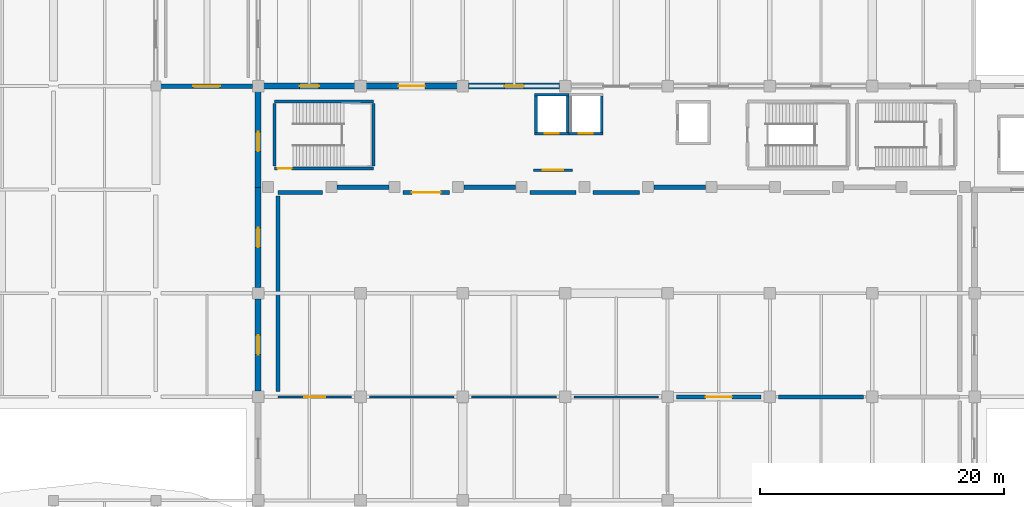
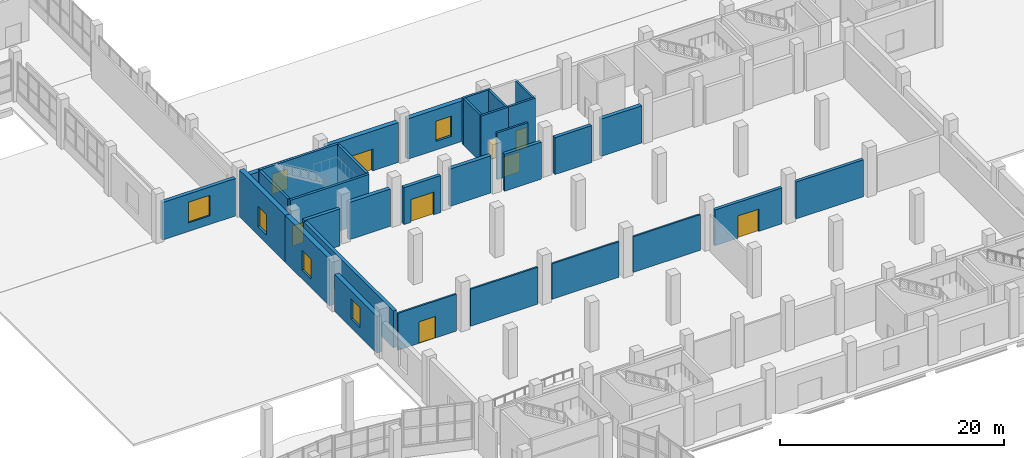
# One storey, part 89 of 107: 32 walls, 8 doors, 6 windows, 14 openings.
"""IFC4 building model written with IfcOpenShell, lengths in metres."""

from ifc_helpers import new_model, si_unit, direction, frame, frame_2d, origin, place, context, subcontext, project, spatial, rectangle, extrude, material, layer, layer_set, type_object, element, fill, save


model = new_model("IFC4")

# Units and contexts
model_context = context("Model", 3, precision=1e-05, world=origin(), true_north=direction((0.0, 1.0)))
body_context = subcontext(model_context, "Body", "Model", "MODEL_VIEW")
ifc_project = project(units=[si_unit("LENGTHUNIT", "METRE"), si_unit("AREAUNIT", "SQUARE_METRE"), si_unit("VOLUMEUNIT", "CUBIC_METRE"), si_unit("PLANEANGLEUNIT", "RADIAN"), si_unit("MASSUNIT", "GRAM", prefix="KILO")], contexts=[model_context])

# Site, building, storey
site_placement = place(None, origin())
site = spatial("IfcSite", under=ifc_project, at=site_placement, CompositionType="ELEMENT")
building_placement = place(site_placement, origin())
building = spatial("IfcBuilding", under=site, at=building_placement, Name="Solvento Point Concert Hall", CompositionType="ELEMENT")
storey_placement = place(building_placement, origin())
storey = spatial("IfcBuildingStorey", under=building, at=storey_placement, Name="L00", CompositionType="ELEMENT", Elevation=0.0)

# Wall, opening, door
ifc_material_1 = material(Name="Acoustic Double-Stud Gypsum Partition")
ifc_layer_1 = layer(ifc_material_1, 0.179931640625)
ifc_layer_set_1 = layer_set([ifc_layer_1], Name="Acoustic Double-Stud Gypsum Partition")
wall_type_1 = type_object("IfcWallType", Name="AcousticPartition_180", PredefinedType="PARTITIONING", material=ifc_layer_set_1)
wall_1_placement = place(storey_placement, frame((76.02001953125, 67.97998046875, 0.0), z_axis=(0.0, 0.0, 1.0), x_axis=(1.0, 0.0, 0.0)))
wall_1 = element("IfcWall", 1, at=wall_1_placement, inside=storey, type_object=wall_type_1, Name="Interior acoustic partition PW-63 L00", PredefinedType="PARTITIONING", context=body_context, shape_type="SweptSolid", body=[
    extrude(rectangle(XDim=6.054931640625, YDim=0.179931640625, at=frame_2d((3.02734375, 0.0))), origin(), (0.0, 0.0, 1.0), 4.0400390625),
])
opening_1_placement = place(wall_1_placement, frame((2.16748046875, 0.0, 0.0)))
opening_1 = element("IfcOpeningElement", 2, at=opening_1_placement, cuts=wall_1, Name="Opening DR-35", PredefinedType="OPENING", context=body_context, shape_type="SweptSolid", body=[
    extrude(rectangle(XDim=1.719970703125, YDim=2.360107421875, at=frame_2d((0.85986328125, 1.18017578125))), frame((0.0, 0.099853515625, 0.0), z_axis=(0.0, -1.0, 0.0), x_axis=(1.0, 0.0, 0.0)), (0.0, 0.0, 1.0), 0.199951171875),
])
ifc_material_2 = material(Name="Brazilian Hardwood Acoustic Door", Category="wood")
door_type_1 = type_object("IfcDoorType", Name="IntDoor_FoyerCafeRetail", OperationType="NOTDEFINED", PredefinedType="DOOR", material=ifc_material_2)
door_1_placement = place(opening_1_placement, origin())
door_1 = element("IfcDoor", 3, at=door_1_placement, inside=storey, type_object=door_type_1, Name="Interior door DR-35 L00", OperationType="SINGLE_SWING_RIGHT", OverallHeight=2.360107421875, OverallWidth=1.719970703125, PredefinedType="DOOR", context=body_context, shape_type="SweptSolid", body=[
    extrude(rectangle(XDim=1.719970703125, YDim=2.360107421875, at=frame_2d((0.85986328125, 1.18017578125))), frame((0.0, 0.02490234375, 0.0), z_axis=(0.0, -1.0, 0.0), x_axis=(1.0, 0.0, 0.0)), (0.0, 0.0, 1.0), 0.050048828125),
])
fill(opening_1, door_1)

# Walls
wall_2_placement = place(storey_placement, frame((83.52490234375, 67.97998046875, 0.0), z_axis=(0.0, 0.0, 1.0), x_axis=(1.0, 0.0, 0.0)))
element("IfcWall", 4, at=wall_2_placement, inside=storey, type_object=wall_type_1, Name="Interior acoustic partition PW-63 L00", PredefinedType="PARTITIONING", context=body_context, shape_type="SweptSolid", body=[
    extrude(rectangle(XDim=6.9501953125, YDim=0.179931640625, at=frame_2d((3.47509765625, 0.0))), origin(), (0.0, 0.0, 1.0), 4.037109375),
])
wall_3_placement = place(storey_placement, frame((91.925048828125, 67.97998046875, 0.0), z_axis=(0.0, 0.0, 1.0), x_axis=(1.0, 0.0, 0.0)))
element("IfcWall", 5, at=wall_3_placement, inside=storey, type_object=wall_type_1, Name="Interior acoustic partition PW-63 L00", PredefinedType="PARTITIONING", context=body_context, shape_type="SweptSolid", body=[
    extrude(rectangle(XDim=6.949951171875, YDim=0.179931640625, at=frame_2d((3.47509765625, 0.0))), origin(), (0.0, 0.0, 1.0), 3.883056640625),
])
wall_4_placement = place(storey_placement, frame((100.324951171875, 67.97998046875, 0.0), z_axis=(0.0, 0.0, 1.0), x_axis=(1.0, 0.0, 0.0)))
element("IfcWall", 6, at=wall_4_placement, inside=storey, type_object=wall_type_1, Name="Interior acoustic partition PW-63 L00", PredefinedType="PARTITIONING", context=body_context, shape_type="SweptSolid", body=[
    extrude(rectangle(XDim=6.949951171875, YDim=0.179931640625, at=frame_2d((3.47509765625, 0.0))), origin(), (0.0, 0.0, 1.0), 3.903076171875),
])

# Wall, opening, door
ifc_material_3 = material(Name="Acoustic Double-Stud Gypsum Partition")
ifc_layer_2 = layer(ifc_material_3, 0.2080078125)
ifc_layer_set_2 = layer_set([ifc_layer_2], Name="Acoustic Double-Stud Gypsum Partition")
wall_type_2 = type_object("IfcWallType", Name="AcousticPartition_208", PredefinedType="PARTITIONING", material=ifc_layer_set_2)
wall_5_placement = place(storey_placement, frame((97.0, 86.60009765625, 0.0), z_axis=(0.0, 0.0, 1.0), x_axis=(1.0, 0.0, 0.0)))
wall_5 = element("IfcWall", 7, at=wall_5_placement, inside=storey, type_object=wall_type_2, Name="Lift lobby partition LP-01 L00", PredefinedType="PARTITIONING", context=body_context, shape_type="SweptSolid", body=[
    extrude(rectangle(XDim=3.199951171875, YDim=0.2080078125, at=frame_2d((1.60009765625, 0.0))), origin(), (0.0, 0.0, 1.0), 5.1201171875),
])
opening_2_placement = place(wall_5_placement, frame((0.77490234375, 0.0, 0.0)))
opening_2 = element("IfcOpeningElement", 8, at=opening_2_placement, cuts=wall_5, Name="Opening D-FL1", PredefinedType="OPENING", context=body_context, shape_type="SweptSolid", body=[
    extrude(rectangle(XDim=1.64990234375, YDim=2.199951171875, at=frame_2d((0.824951171875, 1.10009765625))), frame((0.0, 0.114013671875, 0.0), z_axis=(0.0, -1.0, 0.0), x_axis=(1.0, 0.0, 0.0)), (0.0, 0.0, 1.0), 0.22802734375),
])
ifc_material_4 = material(Name="Hollow Metal Acoustic Fire Door")
door_type_2 = type_object("IfcDoorType", Name="FireLobbyDoor_1600", OperationType="DOUBLE_DOOR_SINGLE_SWING", PredefinedType="DOOR", material=ifc_material_4)
door_2_placement = place(opening_2_placement, origin())
door_2 = element("IfcDoor", 9, at=door_2_placement, inside=storey, type_object=door_type_2, Name="Lift lobby door LP-01 L00", OperationType="DOUBLE_DOOR_SINGLE_SWING", OverallHeight=2.199951171875, OverallWidth=1.64990234375, PredefinedType="DOOR", context=body_context, shape_type="SweptSolid", body=[
    extrude(rectangle(XDim=1.64990234375, YDim=2.199951171875, at=frame_2d((0.824951171875, 1.10009765625))), frame((0.0, 0.02490234375, 0.0), z_axis=(0.0, -1.0, 0.0), x_axis=(1.0, 0.0, 0.0)), (0.0, 0.0, 1.0), 0.050048828125),
])
fill(opening_2, door_2)

ifc_material_5 = material(Name="Acoustic Double-Stud Gypsum Partition")
ifc_layer_3 = layer(ifc_material_5, 0.31494140625)
ifc_layer_set_3 = layer_set([ifc_layer_3], Name="Acoustic Double-Stud Gypsum Partition")
wall_type_3 = type_object("IfcWallType", Name="AcousticPartition_315", PredefinedType="PARTITIONING", material=ifc_layer_set_3)
wall_6_placement = place(storey_placement, frame((108.72509765625, 67.97998046875, 0.0), z_axis=(0.0, 0.0, 1.0), x_axis=(1.0, 0.0, 0.0)))
wall_6 = element("IfcWall", 10, at=wall_6_placement, inside=storey, type_object=wall_type_3, Name="Interior acoustic partition PW-18 L00", PredefinedType="PARTITIONING", context=body_context, shape_type="SweptSolid", body=[
    extrude(rectangle(XDim=6.949951171875, YDim=0.31494140625, at=frame_2d((3.47509765625, 0.0))), origin(), (0.0, 0.0, 1.0), 3.9130859375),
])
opening_3_placement = place(wall_6_placement, frame((2.39990234375, 0.0, 0.0)))
opening_3 = element("IfcOpeningElement", 11, at=opening_3_placement, cuts=wall_6, Name="Opening DR-13", PredefinedType="OPENING", context=body_context, shape_type="SweptSolid", body=[
    extrude(rectangle(XDim=2.14990234375, YDim=2.43994140625, at=frame_2d((1.074951171875, 1.219970703125))), frame((0.0, 0.16748046875, 0.0), z_axis=(0.0, -1.0, 0.0), x_axis=(1.0, 0.0, 0.0)), (0.0, 0.0, 1.0), 0.3349609375),
])
ifc_material_6 = material(Name="Brazilian Hardwood Acoustic Door", Category="wood")
door_type_3 = type_object("IfcDoorType", Name="IntDoor_WorkshopStage", OperationType="NOTDEFINED", PredefinedType="DOOR", material=ifc_material_6)
door_3_placement = place(opening_3_placement, origin())
door_3 = element("IfcDoor", 12, at=door_3_placement, inside=storey, type_object=door_type_3, Name="Interior door DR-13 L00", OperationType="SINGLE_SWING_LEFT", OverallHeight=2.43994140625, OverallWidth=2.14990234375, PredefinedType="DOOR", context=body_context, shape_type="SweptSolid", body=[
    extrude(rectangle(XDim=2.14990234375, YDim=2.43994140625, at=frame_2d((1.074951171875, 1.219970703125))), frame((0.0, 0.02490234375, 0.0), z_axis=(0.0, -1.0, 0.0), x_axis=(1.0, 0.0, 0.0)), (0.0, 0.0, 1.0), 0.050048828125),
])
fill(opening_3, door_3)

# Walls
wall_7_placement = place(storey_placement, frame((117.125, 67.97998046875, 0.0), z_axis=(0.0, 0.0, 1.0), x_axis=(1.0, 0.0, 0.0)))
element("IfcWall", 13, at=wall_7_placement, inside=storey, type_object=wall_type_3, Name="Interior acoustic partition PW-18 L00", PredefinedType="PARTITIONING", context=body_context, shape_type="SweptSolid", body=[
    extrude(rectangle(XDim=6.949951171875, YDim=0.31494140625, at=frame_2d((3.47509765625, 0.0))), origin(), (0.0, 0.0, 1.0), 4.0400390625),
])
ifc_material_7 = material(Name="Acoustic Double-Stud Gypsum Partition")
ifc_layer_4 = layer(ifc_material_7, 0.340087890625)
ifc_layer_set_4 = layer_set([ifc_layer_4], Name="Acoustic Double-Stud Gypsum Partition")
wall_type_4 = type_object("IfcWallType", Name="AcousticPartition_340", PredefinedType="PARTITIONING", material=ifc_layer_set_4)
wall_8_placement = place(storey_placement, frame((76.02001953125, 84.780029296875, 0.0), z_axis=(0.0, 0.0, 1.0), x_axis=(1.0, 0.0, 0.0)))
element("IfcWall", 14, at=wall_8_placement, inside=storey, type_object=wall_type_4, Name="Interior acoustic partition PW-24 L00", PredefinedType="PARTITIONING", context=body_context, shape_type="SweptSolid", body=[
    extrude(rectangle(XDim=3.679931640625, YDim=0.340087890625, at=frame_2d((1.83984375, 0.0))), origin(), (0.0, 0.0, 1.0), 4.0400390625),
])

# Wall, opening, door
wall_9_placement = place(storey_placement, frame((86.300048828125, 84.780029296875, 0.0), z_axis=(0.0, 0.0, 1.0), x_axis=(1.0, 0.0, 0.0)))
wall_9 = element("IfcWall", 15, at=wall_9_placement, inside=storey, type_object=wall_type_4, Name="Interior acoustic partition PW-24 L00", PredefinedType="PARTITIONING", context=body_context, shape_type="SweptSolid", body=[
    extrude(rectangle(XDim=3.800048828125, YDim=0.340087890625, at=frame_2d((1.89990234375, 0.0))), origin(), (0.0, 0.0, 1.0), 4.0400390625),
])
opening_4_placement = place(wall_9_placement, frame((0.72509765625, 0.0, 0.0)))
opening_4 = element("IfcOpeningElement", 16, at=opening_4_placement, cuts=wall_9, Name="Opening DR-93", PredefinedType="OPENING", context=body_context, shape_type="SweptSolid", body=[
    extrude(rectangle(XDim=2.35009765625, YDim=2.47998046875, at=frame_2d((1.175048828125, 1.239990234375))), frame((0.0, 0.179931640625, 0.0), z_axis=(0.0, -1.0, 0.0), x_axis=(1.0, 0.0, 0.0)), (0.0, 0.0, 1.0), 0.360107421875),
])
ifc_material_8 = material(Name="Brazilian Hardwood Acoustic Door", Category="wood")
door_type_4 = type_object("IfcDoorType", Name="IntDoor_DockStageDouble", OperationType="NOTDEFINED", PredefinedType="DOOR", material=ifc_material_8)
door_4_placement = place(opening_4_placement, origin())
door_4 = element("IfcDoor", 17, at=door_4_placement, inside=storey, type_object=door_type_4, Name="Interior door DR-93 L00", OperationType="SINGLE_SWING_RIGHT", OverallHeight=2.47998046875, OverallWidth=2.35009765625, PredefinedType="DOOR", context=body_context, shape_type="SweptSolid", body=[
    extrude(rectangle(XDim=2.35009765625, YDim=2.47998046875, at=frame_2d((1.175048828125, 1.239990234375))), frame((0.0, 0.02490234375, 0.0), z_axis=(0.0, -1.0, 0.0), x_axis=(1.0, 0.0, 0.0)), (0.0, 0.0, 1.0), 0.050048828125),
])
fill(opening_4, door_4)

# Walls
for number, where, z_axis, x_axis, name in (
    (18, (96.699951171875, 84.780029296875, 0.0), (0.0, 0.0, 1.0), (1.0, 0.0, 0.0), "Interior acoustic partition PW-24 L00"),
    (19, (101.89990234375, 84.780029296875, 0.0), (0.0, 0.0, 1.0), (1.0, 0.0, 0.0), "Interior acoustic partition PW-24 L00"),
):
    element("IfcWall", number, at=place(storey_placement, frame(where, z_axis=z_axis, x_axis=x_axis)), inside=storey, type_object=wall_type_4, Name=name, PredefinedType="PARTITIONING", context=body_context, shape_type="SweptSolid", body=[
        extrude(rectangle(XDim=3.800048828125, YDim=0.340087890625, at=frame_2d((1.89990234375, 0.0))), origin(), (0.0, 0.0, 1.0), 4.0400390625),
    ])
wall_10_placement = place(storey_placement, frame((76.02001953125, 68.419921875, 0.0), z_axis=(0.0, 0.0, 1.0), x_axis=(0.0, 1.0, 0.0)))
element("IfcWall", 20, at=wall_10_placement, inside=storey, type_object=wall_type_4, Name="Interior acoustic partition PW-24 L00", PredefinedType="PARTITIONING", context=body_context, shape_type="SweptSolid", body=[
    extrude(rectangle(XDim=16.0400390625, YDim=0.340087890625, at=frame_2d((8.02001953125, 0.0))), origin(), (0.0, 0.0, 1.0), 4.037109375),
])

# Wall, opening, door
ifc_material_9 = material(Name="Concrete C40/50", Category="concrete")
ifc_layer_5 = layer(ifc_material_9, 0.300048828125)
ifc_layer_set_5 = layer_set([ifc_layer_5], Name="Concrete C40/50")
wall_type_5 = type_object("IfcWallType", Name="CoreShearWall_300", PredefinedType="SHEAR", material=ifc_layer_set_5)
wall_11_placement = place(storey_placement, frame((83.85009765625, 86.75, 0.0), z_axis=(0.0, 0.0, 1.0), x_axis=(-1.0, 0.0, 0.0)))
wall_11 = element("IfcWall", 21, at=wall_11_placement, inside=storey, type_object=wall_type_5, Name="Stair core shear wall W-SH1 VOM-03 L00", PredefinedType="SHEAR", context=body_context, shape_type="SweptSolid", body=[
    extrude(rectangle(XDim=8.10009765625, YDim=0.25, at=frame_2d((4.050048828125, 0.0))), origin(), (0.0, 0.0, 1.0), 5.1201171875),
])
opening_5_placement = place(wall_11_placement, frame((6.699951171875, 0.0, 0.0)))
opening_5 = element("IfcOpeningElement", 22, at=opening_5_placement, cuts=wall_11, Name="Opening D-ST1", PredefinedType="OPENING", context=body_context, shape_type="SweptSolid", body=[
    extrude(rectangle(XDim=1.14990234375, YDim=2.179931640625, at=frame_2d((0.574951171875, 1.08984375))), frame((0.0, 0.135009765625, 0.0), z_axis=(0.0, -1.0, 0.0), x_axis=(1.0, 0.0, 0.0)), (0.0, 0.0, 1.0), 0.27001953125),
])
ifc_material_10 = material(Name="Hollow Metal Acoustic Fire Door")
door_type_5 = type_object("IfcDoorType", Name="StairFireDoor_1150", OperationType="NOTDEFINED", PredefinedType="DOOR", material=ifc_material_10)
door_5_placement = place(opening_5_placement, origin())
door_5 = element("IfcDoor", 23, at=door_5_placement, inside=storey, type_object=door_type_5, Name="Protected exit stair door VOM-03 L00", OperationType="SINGLE_SWING_LEFT", OverallHeight=2.179931640625, OverallWidth=1.14990234375, PredefinedType="DOOR", context=body_context, shape_type="SweptSolid", body=[
    extrude(rectangle(XDim=1.14990234375, YDim=2.179931640625, at=frame_2d((0.574951171875, 1.08984375))), frame((0.0, 0.02490234375, 0.0), z_axis=(0.0, -1.0, 0.0), x_axis=(1.0, 0.0, 0.0)), (0.0, 0.0, 1.0), 0.050048828125),
])
fill(opening_5, door_5)

# Walls
wall_12_placement = place(storey_placement, frame((75.75, 92.25, 0.0), z_axis=(0.0, 0.0, 1.0), x_axis=(1.0, 0.0, 0.0)))
element("IfcWall", 24, at=wall_12_placement, inside=storey, type_object=wall_type_5, Name="Stair core shear wall W-SH1 VOM-03 L00", PredefinedType="SHEAR", context=body_context, shape_type="SweptSolid", body=[
    extrude(rectangle(XDim=8.10009765625, YDim=0.25, at=frame_2d((4.050048828125, 0.0))), origin(), (0.0, 0.0, 1.0), 5.1201171875),
])
for number, where, z_axis, x_axis, name in (
    (25, (75.75, 86.949951171875, 0.0), (0.0, 0.0, 1.0), (0.0, 1.0, 0.0), "Stair core shear wall W-SH1 VOM-03 L00"),
    (26, (83.85009765625, 92.050048828125, 0.0), (0.0, 0.0, 1.0), (0.0, -1.0, 0.0), "Stair core shear wall W-SH1 VOM-03 L00"),
):
    element("IfcWall", number, at=place(storey_placement, frame(where, z_axis=z_axis, x_axis=x_axis)), inside=storey, type_object=wall_type_5, Name=name, PredefinedType="SHEAR", context=body_context, shape_type="SweptSolid", body=[
        extrude(rectangle(XDim=5.10009765625, YDim=0.25, at=frame_2d((2.550048828125, 0.0))), origin(), (0.0, 0.0, 1.0), 5.1201171875),
    ])

# Wall, opening, door
wall_13_placement = place(storey_placement, frame((97.090087890625, 89.60009765625, 0.0), z_axis=(0.0, 0.0, 1.0), x_axis=(1.0, 0.0, 0.0)))
wall_13 = element("IfcWall", 27, at=wall_13_placement, inside=storey, type_object=wall_type_5, Name="Elevator shaft shear wall W-SH1 LP-01 L00", PredefinedType="SHEAR", context=body_context, shape_type="SweptSolid", body=[
    extrude(rectangle(XDim=2.81982421875, YDim=0.219970703125, at=frame_2d((1.409912109375, 0.0))), origin(), (0.0, 0.0, 1.0), 5.1201171875),
])
opening_6_placement = place(wall_13_placement, frame((0.8349609375, 0.0, 0.0)))
opening_6 = element("IfcOpeningElement", 28, at=opening_6_placement, cuts=wall_13, Name="Opening LD-02", PredefinedType="OPENING", context=body_context, shape_type="SweptSolid", body=[
    extrude(rectangle(XDim=1.14990234375, YDim=2.199951171875, at=frame_2d((0.574951171875, 1.10009765625))), frame((0.0, 0.119873046875, 0.0), z_axis=(0.0, -1.0, 0.0), x_axis=(1.0, 0.0, 0.0)), (0.0, 0.0, 1.0), 0.239990234375),
])
ifc_material_11 = material(Name="Hollow Metal Acoustic Fire Door")
door_type_6 = type_object("IfcDoorType", Name="LiftLandingDoor_Pass", OperationType="SLIDING_TO_LEFT", PredefinedType="DOOR", material=ifc_material_11)
door_6_placement = place(opening_6_placement, origin())
door_6 = element("IfcDoor", 29, at=door_6_placement, inside=storey, type_object=door_type_6, Name="Elevator landing door LP-01 L00", OperationType="SLIDING_TO_LEFT", OverallHeight=2.199951171875, OverallWidth=1.14990234375, PredefinedType="DOOR", context=body_context, shape_type="SweptSolid", body=[
    extrude(rectangle(XDim=1.14990234375, YDim=2.199951171875, at=frame_2d((0.574951171875, 1.10009765625))), frame((0.0, 0.02490234375, 0.0), z_axis=(0.0, -1.0, 0.0), x_axis=(1.0, 0.0, 0.0)), (0.0, 0.0, 1.0), 0.050048828125),
])
fill(opening_6, door_6)

# Walls
wall_14_placement = place(storey_placement, frame((97.090087890625, 92.800048828125, 0.0), z_axis=(0.0, 0.0, 1.0), x_axis=(1.0, 0.0, 0.0)))
element("IfcWall", 30, at=wall_14_placement, inside=storey, type_object=wall_type_5, Name="Elevator shaft shear wall W-SH1 LP-01 L00", PredefinedType="SHEAR", context=body_context, shape_type="SweptSolid", body=[
    extrude(rectangle(XDim=2.81982421875, YDim=0.219970703125, at=frame_2d((1.409912109375, 0.0))), origin(), (0.0, 0.0, 1.0), 5.1201171875),
])
for number, where, z_axis, x_axis, name in (
    (31, (97.199951171875, 89.7099609375, 0.0), (0.0, 0.0, 1.0), (0.0, 1.0, 0.0), "Elevator shaft shear wall W-SH1 LP-01 L00"),
    (32, (99.800048828125, 89.7099609375, 0.0), (0.0, 0.0, 1.0), (0.0, 1.0, 0.0), "Elevator shaft shear wall W-SH1 LP-01 L00"),
):
    element("IfcWall", number, at=place(storey_placement, frame(where, z_axis=z_axis, x_axis=x_axis)), inside=storey, type_object=wall_type_5, Name=name, PredefinedType="SHEAR", context=body_context, shape_type="SweptSolid", body=[
        extrude(rectangle(XDim=2.97998046875, YDim=0.219970703125, at=frame_2d((1.489990234375, 0.0))), origin(), (0.0, 0.0, 1.0), 5.1201171875),
    ])

# Wall, opening, door
wall_15_placement = place(storey_placement, frame((99.909912109375, 89.60009765625, 0.0), z_axis=(0.0, 0.0, 1.0), x_axis=(1.0, 0.0, 0.0)))
wall_15 = element("IfcWall", 33, at=wall_15_placement, inside=storey, type_object=wall_type_5, Name="Elevator shaft shear wall W-SH1 LP-02 L00", PredefinedType="SHEAR", context=body_context, shape_type="SweptSolid", body=[
    extrude(rectangle(XDim=2.800048828125, YDim=0.219970703125, at=frame_2d((1.39990234375, 0.0))), origin(), (0.0, 0.0, 1.0), 5.1201171875),
])
opening_7_placement = place(wall_15_placement, frame((0.81494140625, 0.0, 0.0)))
opening_7 = element("IfcOpeningElement", 34, at=opening_7_placement, cuts=wall_15, Name="Opening LD-02", PredefinedType="OPENING", context=body_context, shape_type="SweptSolid", body=[
    extrude(rectangle(XDim=1.14990234375, YDim=2.199951171875, at=frame_2d((0.574951171875, 1.10009765625))), frame((0.0, 0.119873046875, 0.0), z_axis=(0.0, -1.0, 0.0), x_axis=(1.0, 0.0, 0.0)), (0.0, 0.0, 1.0), 0.239990234375),
])
door_7_placement = place(opening_7_placement, origin())
door_7 = element("IfcDoor", 35, at=door_7_placement, inside=storey, type_object=door_type_6, Name="Elevator landing door LP-02 L00", OperationType="SLIDING_TO_LEFT", OverallHeight=2.199951171875, OverallWidth=1.14990234375, PredefinedType="DOOR", context=body_context, shape_type="SweptSolid", body=[
    extrude(rectangle(XDim=1.14990234375, YDim=2.199951171875, at=frame_2d((0.574951171875, 1.10009765625))), frame((0.0, 0.02490234375, 0.0), z_axis=(0.0, -1.0, 0.0), x_axis=(1.0, 0.0, 0.0)), (0.0, 0.0, 1.0), 0.050048828125),
])
fill(opening_7, door_7)

# Walls
wall_16_placement = place(storey_placement, frame((102.60009765625, 89.7099609375, 0.0), z_axis=(0.0, 0.0, 1.0), x_axis=(0.0, 1.0, 0.0)))
element("IfcWall", 36, at=wall_16_placement, inside=storey, type_object=wall_type_5, Name="Elevator shaft shear wall W-SH1 LP-02 L00", PredefinedType="SHEAR", context=body_context, shape_type="SweptSolid", body=[
    extrude(rectangle(XDim=2.97998046875, YDim=0.219970703125, at=frame_2d((1.489990234375, 0.0))), origin(), (0.0, 0.0, 1.0), 5.1201171875),
])
ifc_material_12 = material(Name="Concrete C40/50", Category="concrete")
ifc_layer_6 = layer(ifc_material_12, 0.39990234375)
ifc_layer_set_6 = layer_set([ifc_layer_6], Name="Concrete C40/50")
wall_type_6 = type_object("IfcWallType", Name="DrumShearWall_400", PredefinedType="SHEAR", material=ifc_layer_set_6)
wall_17_placement = place(storey_placement, frame((80.8798828125, 85.199951171875, 0.0), z_axis=(0.0, 0.0, 1.0), x_axis=(1.0, 0.0, 0.0)))
element("IfcWall", 37, at=wall_17_placement, inside=storey, type_object=wall_type_6, Name="Symphonic acoustic drum shear wall W-DR1 L00", PredefinedType="SHEAR", context=body_context, shape_type="SweptSolid", body=[
    extrude(rectangle(XDim=4.240234375, YDim=0.39990234375, at=frame_2d((2.1201171875, 0.0))), origin(), (0.0, 0.0, 1.0), 4.070068359375),
])
wall_18_placement = place(storey_placement, frame((91.280029296875, 85.199951171875, 0.0), z_axis=(0.0, 0.0, 1.0), x_axis=(1.0, 0.0, 0.0)))
element("IfcWall", 38, at=wall_18_placement, inside=storey, type_object=wall_type_6, Name="Symphonic acoustic drum shear wall W-DR1 L00", PredefinedType="SHEAR", context=body_context, shape_type="SweptSolid", body=[
    extrude(rectangle(XDim=4.239990234375, YDim=0.39990234375, at=frame_2d((2.1201171875, 0.0))), origin(), (0.0, 0.0, 1.0), 4.070068359375),
])
wall_19_placement = place(storey_placement, frame((106.8798828125, 85.199951171875, 0.0), z_axis=(0.0, 0.0, 1.0), x_axis=(1.0, 0.0, 0.0)))
element("IfcWall", 39, at=wall_19_placement, inside=storey, type_object=wall_type_6, Name="Symphonic acoustic drum shear wall W-DR1 L00", PredefinedType="SHEAR", context=body_context, shape_type="SweptSolid", body=[
    extrude(rectangle(XDim=4.240234375, YDim=0.39990234375, at=frame_2d((2.1201171875, 0.0))), origin(), (0.0, 0.0, 1.0), 4.070068359375),
])

# Wall, opening, window
ifc_material_13 = material(Name="Concrete C40/50", Category="concrete")
ifc_layer_7 = layer(ifc_material_13, 0.47998046875)
ifc_layer_set_7 = layer_set([ifc_layer_7], Name="Concrete C40/50")
wall_type_7 = type_object("IfcWallType", Name="ExtWall_V1_Drum_480", PredefinedType="SOLIDWALL", material=ifc_layer_set_7)
wall_20_placement = place(storey_placement, frame((74.39990234375, 68.455078125, 0.0), z_axis=(0.0, 0.0, 1.0), x_axis=(0.0, 1.0, 0.0)))
wall_20 = element("IfcWall", 40, at=wall_20_placement, inside=storey, type_object=wall_type_7, Name="Exterior architectural concrete wall EW-46 L00", PredefinedType="SOLIDWALL", context=body_context, shape_type="SweptSolid", body=[
    extrude(rectangle(XDim=7.58984375, YDim=0.47998046875, at=frame_2d((3.794921875, 0.0))), origin(), (0.0, 0.0, 1.0), 4.02392578125),
])
opening_8_placement = place(wall_20_placement, frame((2.9951171875, 0.0, 0.949951171875)))
opening_8 = element("IfcOpeningElement", 41, at=opening_8_placement, cuts=wall_20, Name="Opening WN-44", PredefinedType="OPENING", context=body_context, shape_type="SweptSolid", body=[
    extrude(rectangle(XDim=1.60009765625, YDim=2.199951171875, at=frame_2d((0.800048828125, 1.10009765625))), frame((0.0, 0.25, 0.0), z_axis=(0.0, -1.0, 0.0), x_axis=(1.0, 0.0, 0.0)), (0.0, 0.0, 1.0), 0.5),
])
ifc_material_14 = material(Name="Hurricane Laminated Low-E Glass", Category="glass")
window_type_1 = type_object("IfcWindowType", Name="Win_V1_GroundGallery", PartitioningType="SINGLE_PANEL", PredefinedType="WINDOW", material=ifc_material_14)
window_1_placement = place(opening_8_placement, origin())
window_1 = element("IfcWindow", 42, at=window_1_placement, inside=storey, type_object=window_type_1, Name="Impact acoustic window WN-44", OverallHeight=2.199951171875, OverallWidth=1.60009765625, PartitioningType="SINGLE_PANEL", PredefinedType="WINDOW", context=body_context, shape_type="SweptSolid", body=[
    extrude(rectangle(XDim=1.60009765625, YDim=2.199951171875, at=frame_2d((0.800048828125, 1.10009765625))), frame((0.0, 0.030029296875, 0.0), z_axis=(0.0, -1.0, 0.0), x_axis=(1.0, 0.0, 0.0)), (0.0, 0.0, 1.0), 0.06005859375),
])
fill(opening_8, window_1)

wall_21_placement = place(storey_placement, frame((74.39990234375, 76.955078125, 0.0), z_axis=(0.0, 0.0, 1.0), x_axis=(0.0, 1.0, 0.0)))
wall_21 = element("IfcWall", 43, at=wall_21_placement, inside=storey, type_object=wall_type_7, Name="Exterior architectural concrete wall EW-46 L00", PredefinedType="SOLIDWALL", context=body_context, shape_type="SweptSolid", body=[
    extrude(rectangle(XDim=8.204833984375, YDim=0.47998046875, at=frame_2d((4.1025390625, 0.0))), origin(), (0.0, 0.0, 1.0), 5.1201171875),
])
opening_9_placement = place(wall_21_placement, frame((3.302490234375, 0.0, 0.949951171875)))
opening_9 = element("IfcOpeningElement", 44, at=opening_9_placement, cuts=wall_21, Name="Opening WN-44", PredefinedType="OPENING", context=body_context, shape_type="SweptSolid", body=[
    extrude(rectangle(XDim=1.60009765625, YDim=2.199951171875, at=frame_2d((0.800048828125, 1.10009765625))), frame((0.0, 0.25, 0.0), z_axis=(0.0, -1.0, 0.0), x_axis=(1.0, 0.0, 0.0)), (0.0, 0.0, 1.0), 0.5),
])
window_2_placement = place(opening_9_placement, origin())
window_2 = element("IfcWindow", 45, at=window_2_placement, inside=storey, type_object=window_type_1, Name="Impact acoustic window WN-44", OverallHeight=2.199951171875, OverallWidth=1.60009765625, PartitioningType="SINGLE_PANEL", PredefinedType="WINDOW", context=body_context, shape_type="SweptSolid", body=[
    extrude(rectangle(XDim=1.60009765625, YDim=2.199951171875, at=frame_2d((0.800048828125, 1.10009765625))), frame((0.0, 0.030029296875, 0.0), z_axis=(0.0, -1.0, 0.0), x_axis=(1.0, 0.0, 0.0)), (0.0, 0.0, 1.0), 0.06005859375),
])
fill(opening_9, window_2)

wall_22_placement = place(storey_placement, frame((74.39990234375, 84.840087890625, 0.0), z_axis=(0.0, 0.0, 1.0), x_axis=(0.0, 1.0, 0.0)))
wall_22 = element("IfcWall", 46, at=wall_22_placement, inside=storey, type_object=wall_type_7, Name="Exterior architectural concrete wall EW-46 L00", PredefinedType="SOLIDWALL", context=body_context, shape_type="SweptSolid", body=[
    extrude(rectangle(XDim=8.204833984375, YDim=0.47998046875, at=frame_2d((4.1025390625, 0.0))), origin(), (0.0, 0.0, 1.0), 5.1201171875),
])
opening_10_placement = place(wall_22_placement, frame((3.302490234375, 0.0, 0.949951171875)))
opening_10 = element("IfcOpeningElement", 47, at=opening_10_placement, cuts=wall_22, Name="Opening WN-44", PredefinedType="OPENING", context=body_context, shape_type="SweptSolid", body=[
    extrude(rectangle(XDim=1.60009765625, YDim=2.199951171875, at=frame_2d((0.800048828125, 1.10009765625))), frame((0.0, 0.25, 0.0), z_axis=(0.0, -1.0, 0.0), x_axis=(1.0, 0.0, 0.0)), (0.0, 0.0, 1.0), 0.5),
])
window_3_placement = place(opening_10_placement, origin())
window_3 = element("IfcWindow", 48, at=window_3_placement, inside=storey, type_object=window_type_1, Name="Impact acoustic window WN-44", OverallHeight=2.199951171875, OverallWidth=1.60009765625, PartitioningType="SINGLE_PANEL", PredefinedType="WINDOW", context=body_context, shape_type="SweptSolid", body=[
    extrude(rectangle(XDim=1.60009765625, YDim=2.199951171875, at=frame_2d((0.800048828125, 1.10009765625))), frame((0.0, 0.030029296875, 0.0), z_axis=(0.0, -1.0, 0.0), x_axis=(1.0, 0.0, 0.0)), (0.0, 0.0, 1.0), 0.06005859375),
])
fill(opening_10, window_3)

wall_23_placement = place(storey_placement, frame((74.85498046875, 93.5, 0.0), z_axis=(0.0, 0.0, 1.0), x_axis=(1.0, 0.0, 0.0)))
wall_23 = element("IfcWall", 49, at=wall_23_placement, inside=storey, type_object=wall_type_7, Name="Exterior architectural concrete wall EW-46 L00", PredefinedType="SOLIDWALL", context=body_context, shape_type="SweptSolid", body=[
    extrude(rectangle(XDim=7.489990234375, YDim=0.47998046875, at=frame_2d((3.7451171875, 0.0))), origin(), (0.0, 0.0, 1.0), 4.02392578125),
])
opening_11_placement = place(wall_23_placement, frame((2.945068359375, 0.0, 0.949951171875)))
opening_11 = element("IfcOpeningElement", 50, at=opening_11_placement, cuts=wall_23, Name="Opening WN-44", PredefinedType="OPENING", context=body_context, shape_type="SweptSolid", body=[
    extrude(rectangle(XDim=1.60009765625, YDim=2.199951171875, at=frame_2d((0.800048828125, 1.10009765625))), frame((0.0, 0.25, 0.0), z_axis=(0.0, -1.0, 0.0), x_axis=(1.0, 0.0, 0.0)), (0.0, 0.0, 1.0), 0.5),
])
window_4_placement = place(opening_11_placement, origin())
window_4 = element("IfcWindow", 51, at=window_4_placement, inside=storey, type_object=window_type_1, Name="Impact acoustic window WN-44", OverallHeight=2.199951171875, OverallWidth=1.60009765625, PartitioningType="SINGLE_PANEL", PredefinedType="WINDOW", context=body_context, shape_type="SweptSolid", body=[
    extrude(rectangle(XDim=1.60009765625, YDim=2.199951171875, at=frame_2d((0.800048828125, 1.10009765625))), frame((0.0, 0.030029296875, 0.0), z_axis=(0.0, -1.0, 0.0), x_axis=(1.0, 0.0, 0.0)), (0.0, 0.0, 1.0), 0.06005859375),
])
fill(opening_11, window_4)

# Wall, opening, door
wall_24_placement = place(storey_placement, frame((83.2548828125, 93.5, 0.0), z_axis=(0.0, 0.0, 1.0), x_axis=(1.0, 0.0, 0.0)))
wall_24 = element("IfcWall", 52, at=wall_24_placement, inside=storey, type_object=wall_type_7, Name="Exterior architectural concrete wall EW-46 L00", PredefinedType="SOLIDWALL", context=body_context, shape_type="SweptSolid", body=[
    extrude(rectangle(XDim=7.490234375, YDim=0.47998046875, at=frame_2d((3.7451171875, 0.0))), origin(), (0.0, 0.0, 1.0), 4.35595703125),
])
opening_12_placement = place(wall_24_placement, frame((2.669921875, 0.0, 0.0)))
opening_12 = element("IfcOpeningElement", 53, at=opening_12_placement, cuts=wall_24, Name="Opening ED-04", PredefinedType="OPENING", context=body_context, shape_type="SweptSolid", body=[
    extrude(rectangle(XDim=2.14990234375, YDim=2.3798828125, at=frame_2d((1.074951171875, 1.18994140625))), frame((0.0, 0.25, 0.0), z_axis=(0.0, -1.0, 0.0), x_axis=(1.0, 0.0, 0.0)), (0.0, 0.0, 1.0), 0.5),
])
ifc_material_15 = material(Name="Anodized Bronze Aluminium", Category="aluminium")
door_type_7 = type_object("IfcDoorType", Name="PedestrianExitDoor_ED-04", OperationType="DOUBLE_DOOR_SINGLE_SWING", PredefinedType="DOOR", material=ifc_material_15)
door_8_placement = place(opening_12_placement, origin())
door_8 = element("IfcDoor", 54, at=door_8_placement, inside=storey, type_object=door_type_7, Name="Courtyard promenade pedestrian exit double door ED-04", OperationType="DOUBLE_DOOR_SINGLE_SWING", OverallHeight=2.3798828125, OverallWidth=2.14990234375, PredefinedType="DOOR", context=body_context, shape_type="SweptSolid", body=[
    extrude(rectangle(XDim=2.14990234375, YDim=2.3798828125, at=frame_2d((1.074951171875, 1.18994140625))), frame((0.0, 0.02490234375, 0.0), z_axis=(0.0, -1.0, 0.0), x_axis=(1.0, 0.0, 0.0)), (0.0, 0.0, 1.0), 0.050048828125),
])
fill(opening_12, door_8)

# Wall, opening, window
wall_25_placement = place(storey_placement, frame((91.655029296875, 93.5, 0.0), z_axis=(0.0, 0.0, 1.0), x_axis=(1.0, 0.0, 0.0)))
wall_25 = element("IfcWall", 55, at=wall_25_placement, inside=storey, type_object=wall_type_7, Name="Exterior architectural concrete wall EW-46 L00", PredefinedType="SOLIDWALL", context=body_context, shape_type="SweptSolid", body=[
    extrude(rectangle(XDim=7.489990234375, YDim=0.47998046875, at=frame_2d((3.7451171875, 0.0))), origin(), (0.0, 0.0, 1.0), 4.4150390625),
])
opening_13_placement = place(wall_25_placement, frame((2.945068359375, 0.0, 0.949951171875)))
opening_13 = element("IfcOpeningElement", 56, at=opening_13_placement, cuts=wall_25, Name="Opening WN-44", PredefinedType="OPENING", context=body_context, shape_type="SweptSolid", body=[
    extrude(rectangle(XDim=1.60009765625, YDim=2.199951171875, at=frame_2d((0.800048828125, 1.10009765625))), frame((0.0, 0.25, 0.0), z_axis=(0.0, -1.0, 0.0), x_axis=(1.0, 0.0, 0.0)), (0.0, 0.0, 1.0), 0.5),
])
window_5_placement = place(opening_13_placement, origin())
window_5 = element("IfcWindow", 57, at=window_5_placement, inside=storey, type_object=window_type_1, Name="Impact acoustic window WN-44", OverallHeight=2.199951171875, OverallWidth=1.60009765625, PartitioningType="SINGLE_PANEL", PredefinedType="WINDOW", context=body_context, shape_type="SweptSolid", body=[
    extrude(rectangle(XDim=1.60009765625, YDim=2.199951171875, at=frame_2d((0.800048828125, 1.10009765625))), frame((0.0, 0.030029296875, 0.0), z_axis=(0.0, -1.0, 0.0), x_axis=(1.0, 0.0, 0.0)), (0.0, 0.0, 1.0), 0.06005859375),
])
fill(opening_13, window_5)

ifc_material_16 = material(Name="Concrete C40/50", Category="concrete")
ifc_layer_8 = layer(ifc_material_16, 0.3701171875)
ifc_layer_set_8 = layer_set([ifc_layer_8], Name="Concrete C40/50")
wall_type_8 = type_object("IfcWallType", Name="ExtWall_V4_Reh_370", PredefinedType="SOLIDWALL", material=ifc_layer_set_8)
wall_26_placement = place(storey_placement, frame((73.945068359375, 93.5, 0.0), z_axis=(0.0, 0.0, 1.0), x_axis=(-1.0, 0.0, 0.0)))
wall_26 = element("IfcWall", 58, at=wall_26_placement, inside=storey, type_object=wall_type_8, Name="Exterior architectural concrete wall EW-85 L00", PredefinedType="SOLIDWALL", context=body_context, shape_type="SweptSolid", body=[
    extrude(rectangle(XDim=7.55517578125, YDim=0.3701171875, at=frame_2d((3.777587890625, 0.0))), origin(), (0.0, 0.0, 1.0), 4.097900390625),
])
opening_14_placement = place(wall_26_placement, frame((2.677490234375, 0.0, 0.949951171875)))
opening_14 = element("IfcOpeningElement", 59, at=opening_14_placement, cuts=wall_26, Name="Opening WN-82", PredefinedType="OPENING", context=body_context, shape_type="SweptSolid", body=[
    extrude(rectangle(XDim=2.199951171875, YDim=2.25, at=frame_2d((1.10009765625, 1.125))), frame((0.0, 0.195068359375, 0.0), z_axis=(0.0, -1.0, 0.0), x_axis=(1.0, 0.0, 0.0)), (0.0, 0.0, 1.0), 0.39013671875),
])
ifc_material_17 = material(Name="Hurricane Laminated Low-E Glass", Category="glass")
window_type_2 = type_object("IfcWindowType", Name="Win_V4_Seminar_L00", PartitioningType="SINGLE_PANEL", PredefinedType="WINDOW", material=ifc_material_17)
window_6_placement = place(opening_14_placement, origin())
window_6 = element("IfcWindow", 60, at=window_6_placement, inside=storey, type_object=window_type_2, Name="Impact acoustic window WN-82", OverallHeight=2.25, OverallWidth=2.199951171875, PartitioningType="SINGLE_PANEL", PredefinedType="WINDOW", context=body_context, shape_type="SweptSolid", body=[
    extrude(rectangle(XDim=2.199951171875, YDim=2.25, at=frame_2d((1.10009765625, 1.125))), frame((0.0, 0.030029296875, 0.0), z_axis=(0.0, -1.0, 0.0), x_axis=(1.0, 0.0, 0.0)), (0.0, 0.0, 1.0), 0.06005859375),
])
fill(opening_14, window_6)

save(model, "model.ifc")
